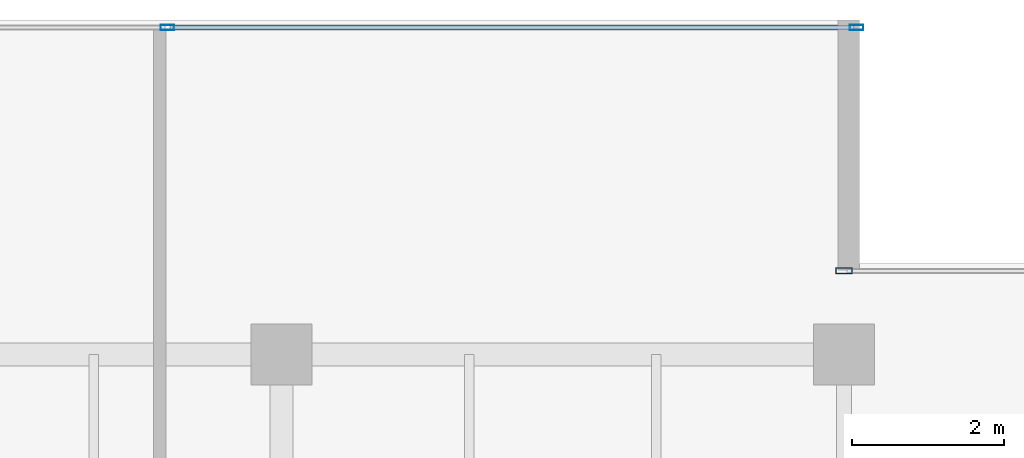
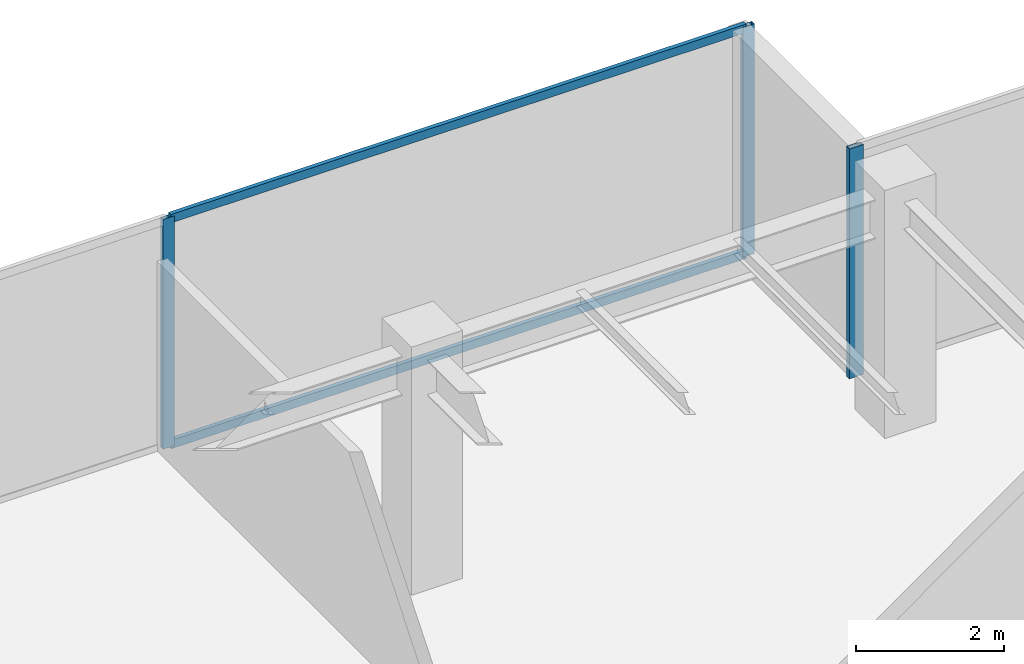
# One storey, part 21 of 33: 5 members, 2 elements without a shape of their own.
"""IFC4 building model written with IfcOpenShell, lengths in metres."""

from ifc_helpers import new_model, si_unit, direction, frame, origin, origin_2d, place, context, subcontext, project, spatial, hollow_rectangle, extrude, source, transform, mapped, material, layer, layer_set, material_profile, profile_set, type_object, type_shapes, element, aggregate, save


model = new_model("IFC4")

# Units and contexts
model_context = context("Model", 3, precision=1e-05, world=origin(), true_north=direction((0.0, 1.0)))
body_context = subcontext(model_context, "Body", "Model", "MODEL_VIEW")
ifc_project = project(units=[si_unit("LENGTHUNIT", "METRE"), si_unit("AREAUNIT", "SQUARE_METRE"), si_unit("VOLUMEUNIT", "CUBIC_METRE"), si_unit("PLANEANGLEUNIT", "RADIAN"), si_unit("MASSUNIT", "GRAM", prefix="KILO")], contexts=[model_context])

# Site, building, storey
site_placement = place(None, origin())
site = spatial("IfcSite", under=ifc_project, at=site_placement, CompositionType="ELEMENT")
building_placement = place(site_placement, origin())
building = spatial("IfcBuilding", under=site, at=building_placement, Name="Haelvirn Gate Laboratories", CompositionType="ELEMENT")
storey_placement = place(building_placement, frame((0.0, 0.0, 287.5)))
storey = spatial("IfcBuildingStorey", under=building, at=storey_placement, Name="L69", CompositionType="ELEMENT", Elevation=287.5)

# Curtain wall, members
ifc_material_1 = material(Name="Anodised bronze unitised aluminium & triple low-E glass", Category="aluminium")
ifc_layer_1 = layer(ifc_material_1, 0.176025390625, Name="CW-SYS-4")
ifc_layer_set_1 = layer_set([ifc_layer_1], Name="Anodised bronze unitised aluminium & triple low-E glass")
curtain_wall_type_1 = type_object("IfcCurtainWallType", Name="CW-SYS-4", PredefinedType="NOTDEFINED", material=ifc_layer_set_1)
curtain_wall_1_placement = place(storey_placement, origin())
curtain_wall_1 = element("IfcCurtainWall", 1, at=curtain_wall_1_placement, inside=storey, type_object=curtain_wall_type_1, Name="L69 Unitised Curtain Wall CW-L69-P0-E10-1", PredefinedType="NOTDEFINED")
ifc_material_2 = material(Name="Extruded aluminium 6063-T6 (anodised bronze)", Category="aluminium")
ifc_material_profile_1 = material_profile(ifc_material_2, hollow_rectangle(XDim=0.06494140625, YDim=0.139892578125, WallThickness=0.00390625, at=origin_2d()), Name="CWT-140x65x4")
ifc_profile_set_1 = profile_set([ifc_material_profile_1], Name="Extruded aluminium 6063-T6 (anodised bronze)")
member_type_1 = type_object("IfcMemberType", Name="CWT-T140", PredefinedType="USERDEFINED", material=ifc_profile_set_1)
shared_shape_1 = source(origin(), body_context, "Body", "SweptSolid", [
    extrude(hollow_rectangle(XDim=0.06494140625, YDim=0.139892578125, WallThickness=0.00390625, at=origin_2d()), origin(), (0.0, 0.0, 1.0), 8.9951171875),
])
type_shapes(member_type_1, [shared_shape_1])
member_1_placement = place(storey_placement, frame((58.534912109375, 45.89990234375, 0.032470703125), z_axis=(1.0, 0.0, 0.0), x_axis=(0.0, 1.0, 0.0)))
member_1 = element("IfcMember", 2, at=member_1_placement, type_object=member_type_1, Name="CW4 transom 2.1", ObjectType="TRANSOM", PredefinedType="USERDEFINED", context=body_context, shape_type="MappedRepresentation", body=[
    mapped(shared_shape_1, transform((0.0, 0.0, 0.0), scale=1.0)),
])
member_2_placement = place(storey_placement, frame((58.534912109375, 45.89990234375, 3.767578125), z_axis=(1.0, 0.0, 0.0), x_axis=(0.0, 1.0, 0.0)))
member_2 = element("IfcMember", 3, at=member_2_placement, type_object=member_type_1, Name="CW4 transom 2.2", ObjectType="TRANSOM", PredefinedType="USERDEFINED", context=body_context, shape_type="MappedRepresentation", body=[
    mapped(shared_shape_1, transform((0.0, 0.0, 0.0), scale=1.0)),
])
ifc_material_profile_2 = material_profile(ifc_material_2, hollow_rectangle(XDim=0.070068359375, YDim=0.179931640625, WallThickness=0.0048828125, at=origin_2d()), Name="CWM-180x70x5")
ifc_profile_set_2 = profile_set([ifc_material_profile_2], Name="Extruded aluminium 6063-T6 (anodised bronze)")
member_type_2 = type_object("IfcMemberType", Name="CWM-T180", PredefinedType="MULLION", material=ifc_profile_set_2)
shared_shape_2 = source(origin(), body_context, "Body", "SweptSolid", [
    extrude(hollow_rectangle(XDim=0.070068359375, YDim=0.179931640625, WallThickness=0.0048828125, at=origin_2d()), origin(), (0.0, 0.0, 1.0), 3.800048828125),
])
type_shapes(member_type_2, [shared_shape_2])
member_3_placement = place(storey_placement, frame((58.5, 45.89990234375, 0.0), z_axis=(0.0, 0.0, 1.0), x_axis=(0.0, 1.0, 0.0)))
member_3 = element("IfcMember", 4, at=member_3_placement, type_object=member_type_2, Name="CW4 mullion 2", PredefinedType="MULLION", context=body_context, shape_type="MappedRepresentation", body=[
    mapped(shared_shape_2, transform((0.0, 0.0, 0.0), scale=1.0)),
])
member_4_placement = place(storey_placement, frame((67.56494140625, 45.89990234375, 0.0), z_axis=(0.0, 0.0, 1.0), x_axis=(0.0, 1.0, 0.0)))
member_4 = element("IfcMember", 5, at=member_4_placement, type_object=member_type_2, Name="CW4 mullion 3", PredefinedType="MULLION", context=body_context, shape_type="MappedRepresentation", body=[
    mapped(shared_shape_2, transform((0.0, 0.0, 0.0), scale=1.0)),
])
aggregate(curtain_wall_1, [member_3, member_4, member_1, member_2])

# Curtain wall, member
ifc_layer_2 = layer(ifc_material_1, 0.181884765625, Name="CW-SYS-5")
ifc_layer_set_2 = layer_set([ifc_layer_2], Name="Anodised bronze unitised aluminium & triple low-E glass")
curtain_wall_type_2 = type_object("IfcCurtainWallType", Name="CW-SYS-5", PredefinedType="NOTDEFINED", material=ifc_layer_set_2)
curtain_wall_2_placement = place(storey_placement, origin())
curtain_wall_2 = element("IfcCurtainWall", 6, at=curtain_wall_2_placement, inside=storey, type_object=curtain_wall_type_2, Name="L69 Unitised Curtain Wall CW-L69-P0-E08-1", PredefinedType="NOTDEFINED")
ifc_material_profile_3 = material_profile(ifc_material_2, hollow_rectangle(XDim=0.080078125, YDim=0.219970703125, WallThickness=0.006103515625, at=origin_2d()), Name="CWM-220x80x6")
ifc_profile_set_3 = profile_set([ifc_material_profile_3], Name="Extruded aluminium 6063-T6 (anodised bronze)")
member_type_3 = type_object("IfcMemberType", Name="CWM-T220", PredefinedType="MULLION", material=ifc_profile_set_3)
shared_shape_3 = source(origin(), body_context, "Body", "SweptSolid", [
    extrude(hollow_rectangle(XDim=0.080078125, YDim=0.219970703125, WallThickness=0.006103515625, at=origin_2d()), origin(), (0.0, 0.0, 1.0), 3.800048828125),
])
type_shapes(member_type_3, [shared_shape_3])
member_5_placement = place(storey_placement, frame((67.39990234375, 42.699951171875, 0.0), z_axis=(0.0, 0.0, 1.0), x_axis=(0.0, 1.0, 0.0)))
member_5 = element("IfcMember", 7, at=member_5_placement, type_object=member_type_3, Name="CW5 mullion 1", PredefinedType="MULLION", context=body_context, shape_type="MappedRepresentation", body=[
    mapped(shared_shape_3, transform((0.0, 0.0, 0.0), scale=1.0)),
])
aggregate(curtain_wall_2, [member_5])

save(model, "model.ifc")
